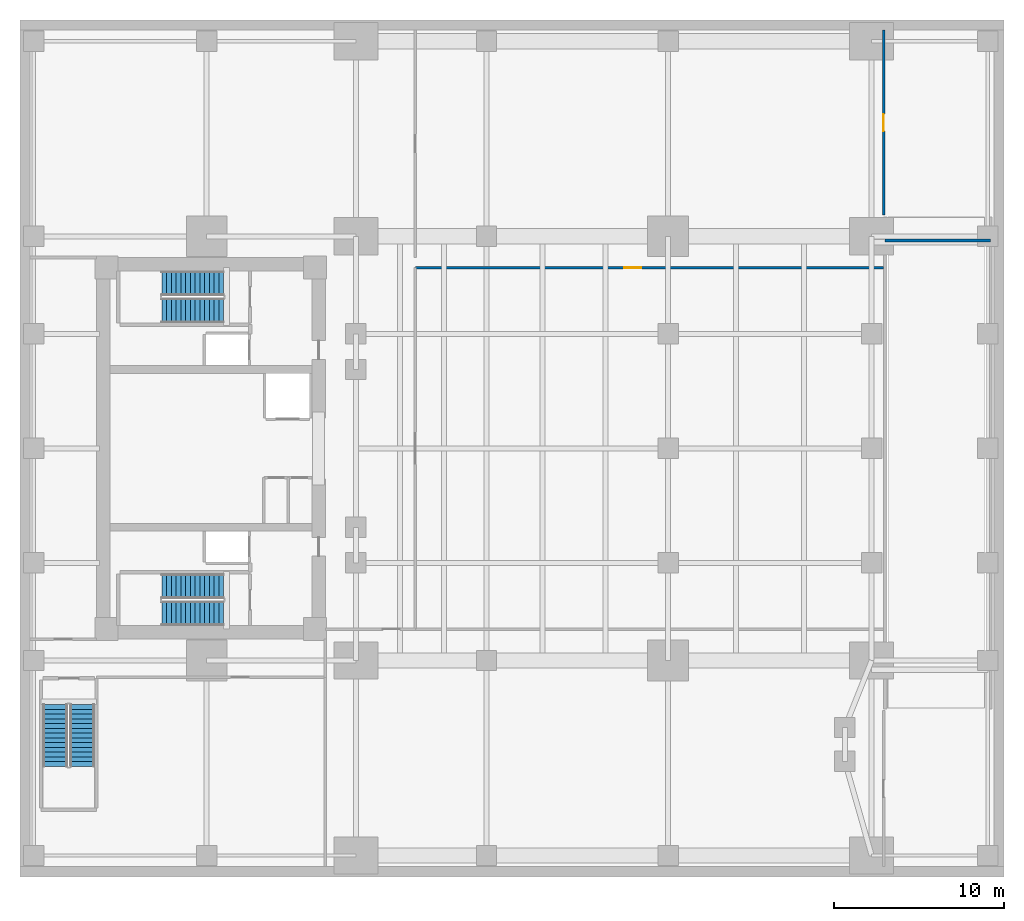
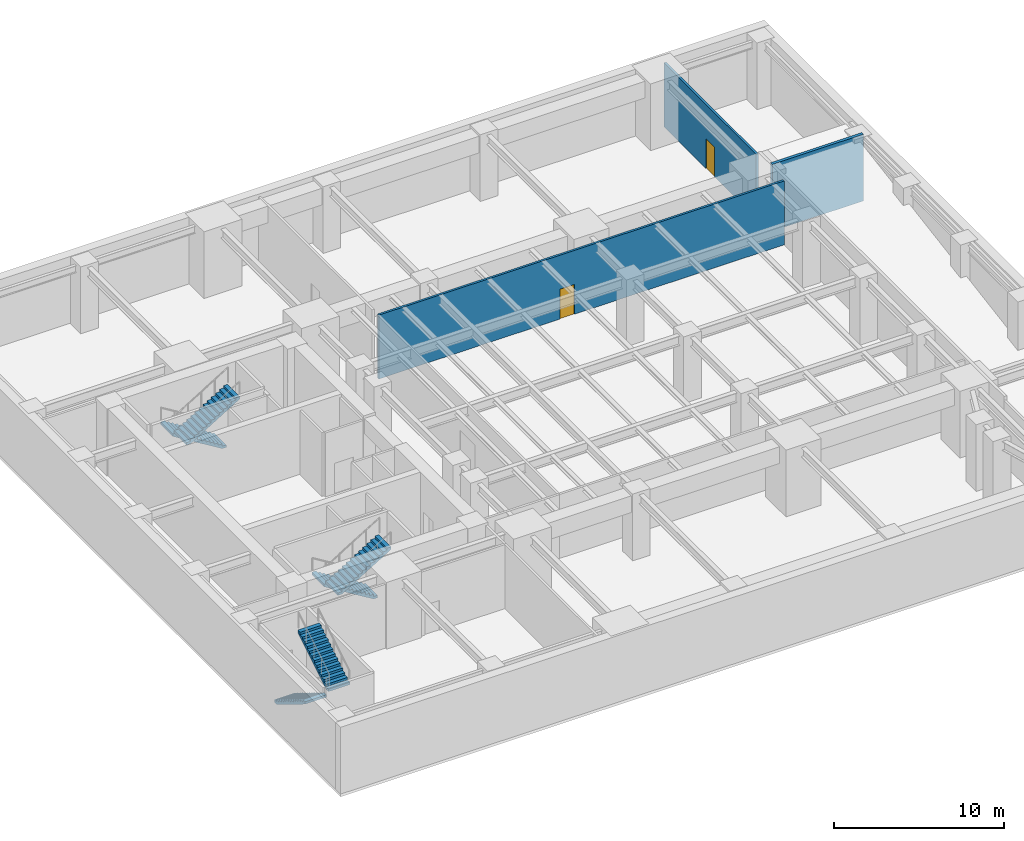
# One storey, part 4 of 5: 6 stair flights, 3 walls, 2 doors, 2 openings, 3 elements without a shape of their own.
"""IFC4 building model written with IfcOpenShell, lengths in metres."""

import ifcopenshell
import ifcopenshell.guid

model = None  # the IFC model being written
_history = None  # IfcOwnerHistory: only IFC2X3 demands one
_inside = {}  # id of a spatial element -> (the spatial element, [elements in it])
_under = {}  # id of a project, library or spatial element -> (it, [spatial elements below it])
_declared = {}  # id of a project -> (the project, [libraries it declares])
_typed = {}  # id of a type object -> (the type object, [elements of that type])
_made_of = {}  # id of a material, layer set ... -> (it, [elements and type objects made of it])


def new_model(schema):
    """Start an empty IFC model of exactly this schema.

    Asked for "IFC4X3", IfcOpenShell would pick the latest addendum, in which some entities
    have other attributes; the version numbers below select the first issue.
    IFC2X3 requires an IfcOwnerHistory on every rooted entity: one is made here for all.
    """
    global model, _history
    if schema == "IFC4X3":
        model = ifcopenshell.file(schema_version=(4, 3, 0, 0))
    else:
        model = ifcopenshell.file(schema=schema)
    _inside.clear()
    _under.clear()
    _declared.clear()
    _typed.clear()
    _made_of.clear()
    _history = None
    if model.schema == "IFC2X3":
        org = make("IfcOrganization", Name="unknown")
        user = make(
            "IfcPersonAndOrganization",
            ThePerson=make("IfcPerson", FamilyName="unknown"),
            TheOrganization=org,
        )
        app = make(
            "IfcApplication",
            ApplicationDeveloper=org,
            Version="unknown",
            ApplicationFullName="unknown",
            ApplicationIdentifier="unknown",
        )
        _history = make(
            "IfcOwnerHistory",
            OwningUser=user,
            OwningApplication=app,
            ChangeAction="ADDED",
            CreationDate=0,
        )
    return model


def make(cls, **values):
    """One entity of the class cls with the attributes given. An attribute that is None is left unset."""
    return model.create_entity(
        cls, **{name: value for name, value in values.items() if value is not None}
    )


def rooted(cls, **values):
    """An entity with a GlobalId (a new one), such as an element, a storey or a relation."""
    return make(cls, GlobalId=ifcopenshell.guid.new(), OwnerHistory=_history, **values)


def si_unit(unit_type, name, prefix=None):
    """IfcSIUnit, for example si_unit("LENGTHUNIT", "METRE", prefix="MILLI")."""
    return make("IfcSIUnit", UnitType=unit_type, Prefix=prefix, Name=name)


def assignment(units):
    """IfcUnitAssignment: the units of a project."""
    return None if units is None else make("IfcUnitAssignment", Units=units)


def point(xyz):
    """IfcCartesianPoint."""
    return None if xyz is None else make("IfcCartesianPoint", Coordinates=xyz)


def direction(xyz):
    """IfcDirection."""
    return None if xyz is None else make("IfcDirection", DirectionRatios=xyz)


def frame(location, z_axis=None, x_axis=None):
    """IfcAxis2Placement3D, a coordinate frame: its origin and axes. An axis left out is left unset."""
    return make(
        "IfcAxis2Placement3D",
        Location=point(location),
        Axis=direction(z_axis),
        RefDirection=direction(x_axis),
    )


def frame_2d(location, x_axis=None):
    """IfcAxis2Placement2D, a coordinate frame in the plane: its origin and x axis."""
    return make(
        "IfcAxis2Placement2D", Location=point(location), RefDirection=direction(x_axis)
    )


def origin():
    """The frame at (0, 0, 0) with its axes left unset."""
    return frame((0.0, 0.0, 0.0))


def place(relative_to, where):
    """IfcLocalPlacement: puts the frame where relative to a parent placement (None: the world)."""
    return make(
        "IfcLocalPlacement", PlacementRelTo=relative_to, RelativePlacement=where
    )


def context(
    kind, dimensions, precision=None, world=None, true_north=None, identifier=None
):
    """IfcGeometricRepresentationContext, for example the 3D "Model" context."""
    return make(
        "IfcGeometricRepresentationContext",
        ContextIdentifier=identifier,
        ContextType=kind,
        CoordinateSpaceDimension=dimensions,
        Precision=precision,
        WorldCoordinateSystem=world,
        TrueNorth=true_north,
    )


def subcontext(parent, identifier, kind, view, scale=None):
    """IfcGeometricRepresentationSubContext, for example "Body" below "Model"."""
    return make(
        "IfcGeometricRepresentationSubContext",
        ContextIdentifier=identifier,
        ContextType=kind,
        ParentContext=parent,
        TargetScale=scale,
        TargetView=view,
    )


def project(units=None, contexts=None):
    """IfcProject with its units and contexts."""
    return rooted(
        "IfcProject",
        Name="project",
        RepresentationContexts=contexts,
        UnitsInContext=assignment(units),
    )


def spatial(cls, under=None, at=None, **own):
    """A site, building, storey or space (cls), placed at a placement, below another one or the project."""
    s = rooted(cls, ObjectPlacement=at, **own)
    if under is not None:
        _under.setdefault(under.id(), (under, []))[1].append(s)
    return s


def polyline(points):
    """IfcPolyline through the points."""
    return make("IfcPolyline", Points=[point(p) for p in points])


def profile(cls, at=None, kind="AREA", **sizes):
    """A parametric profile (cls). Its sizes go by their IFC names, for example OverallWidth=200.0."""
    return make(cls, ProfileType=kind, Position=at, **sizes)


def rectangle(**sizes):
    """IfcRectangleProfileDef."""
    return profile("IfcRectangleProfileDef", **sizes)


def outline(outer, holes=None, kind="AREA"):
    """IfcArbitraryClosedProfileDef: a profile drawn as a closed curve; with holes, ...WithVoids."""
    if holes is None:
        return make("IfcArbitraryClosedProfileDef", ProfileType=kind, OuterCurve=outer)
    return make(
        "IfcArbitraryProfileDefWithVoids",
        ProfileType=kind,
        OuterCurve=outer,
        InnerCurves=holes,
    )


def extrude(swept, where, along, depth):
    """IfcExtrudedAreaSolid: the profile swept, set in the frame where, extruded along a direction by depth."""
    return make(
        "IfcExtrudedAreaSolid",
        SweptArea=swept,
        Position=where,
        ExtrudedDirection=direction(along),
        Depth=depth,
    )


def shape(context_of_items, identifier, shape_type, items):
    """IfcShapeRepresentation: the items that make up one representation, for example the "Body"."""
    return make(
        "IfcShapeRepresentation",
        ContextOfItems=context_of_items,
        RepresentationIdentifier=identifier,
        RepresentationType=shape_type,
        Items=items,
    )


def material(Name=None, Category=None):
    """IfcMaterial."""
    return make("IfcMaterial", Name=Name, Category=Category)


def layer(
    of_material, thickness, ventilated=None, Name=None, Category=None, Priority=None
):
    """IfcMaterialLayer: one layer of a wall or slab, of a material (None: an air gap)."""
    return make(
        "IfcMaterialLayer",
        Material=of_material,
        LayerThickness=thickness,
        IsVentilated=ventilated,
        Name=Name,
        Category=Category,
        Priority=Priority,
    )


def layer_set(layers, Name=None):
    """IfcMaterialLayerSet."""
    return make("IfcMaterialLayerSet", MaterialLayers=layers, LayerSetName=Name)


def made_of(thing, what):
    """Note that an element or type object is made of a material, layer set ...; save() writes the relation."""
    if what is not None:
        _made_of.setdefault(what.id(), (what, []))[1].append(thing)
    return thing


def type_object(cls, material=None, **own):
    """A type object (cls), such as IfcWallType, which elements share."""
    return made_of(rooted(cls, **own), material)


def element(
    cls,
    number,
    at=None,
    inside=None,
    cuts=None,
    type_object=None,
    material=None,
    context=None,
    identifier="Body",
    shape_type=None,
    held_by="IfcProductDefinitionShape",
    body=None,
    shapes=None,
    **own,
):
    """One element of the class cls, such as IfcWall. Its Tag is "e" and its number.

    at: its placement. inside: the storey or other place that contains it. cuts: it is an
    opening in that element (IfcRelVoidsElement). A single representation is given by context,
    identifier, shape_type and body (its items); several are given by shapes. held_by: the class
    of the entity that holds the representations. save() writes the other relations.
    """
    e = rooted(cls, Tag="e%d" % number, ObjectPlacement=at, **own)
    if body is not None:
        shapes = [shape(context, identifier, shape_type, body)]
    if shapes is not None:
        e.Representation = make(held_by, Representations=shapes)
    if inside is not None:
        _inside.setdefault(inside.id(), (inside, []))[1].append(e)
    if cuts is not None:
        rooted(
            "IfcRelVoidsElement", RelatingBuildingElement=cuts, RelatedOpeningElement=e
        )
    if type_object is not None:
        _typed.setdefault(type_object.id(), (type_object, []))[1].append(e)
    return made_of(e, material)


def fill(opening, filler):
    """IfcRelFillsElement: the door or window that sits in an opening."""
    return rooted(
        "IfcRelFillsElement",
        RelatingOpeningElement=opening,
        RelatedBuildingElement=filler,
    )


def aggregate(whole, parts):
    """IfcRelAggregates: a whole, such as a stair, and the parts it consists of."""
    return rooted("IfcRelAggregates", RelatingObject=whole, RelatedObjects=parts)


def save(model, path):
    """Write the relations noted so far, then the file.

    IfcRelAggregates (storeys below a building ...), IfcRelContainedInSpatialStructure (elements
    in a storey), IfcRelDefinesByType, IfcRelAssociatesMaterial and IfcRelDeclares: one each for
    every whole, place, type object, material and project.
    """
    for whole, parts in _under.values():
        aggregate(whole, parts)
    for where, things in _inside.values():
        rooted(
            "IfcRelContainedInSpatialStructure",
            RelatedElements=things,
            RelatingStructure=where,
        )
    for kind, things in _typed.values():
        rooted("IfcRelDefinesByType", RelatedObjects=things, RelatingType=kind)
    for what, things in _made_of.values():
        rooted("IfcRelAssociatesMaterial", RelatedObjects=things, RelatingMaterial=what)
    for by, libraries in _declared.values():
        rooted("IfcRelDeclares", RelatingContext=by, RelatedDefinitions=libraries)
    model.write(path)


model = new_model("IFC4")

# Units and contexts
model_context = context("Model", 3, precision=1e-05, world=origin(), true_north=direction((0.0, 1.0)))
body_context = subcontext(model_context, "Body", "Model", "MODEL_VIEW")
ifc_project = project(units=[si_unit("LENGTHUNIT", "METRE"), si_unit("AREAUNIT", "SQUARE_METRE"), si_unit("VOLUMEUNIT", "CUBIC_METRE"), si_unit("PLANEANGLEUNIT", "RADIAN"), si_unit("MASSUNIT", "GRAM", prefix="KILO")], contexts=[model_context])

# Site, building, storey
site_placement = place(None, origin())
site = spatial("IfcSite", under=ifc_project, at=site_placement, CompositionType="ELEMENT")
building_placement = place(site_placement, origin())
building = spatial("IfcBuilding", under=site, at=building_placement, Name="Kinhvarn Gate Tower", CompositionType="ELEMENT")
storey_placement = place(building_placement, frame((0.0, 0.0, -4.800048828125)))
storey = spatial("IfcBuildingStorey", under=building, at=storey_placement, Name="B01", CompositionType="ELEMENT", Elevation=-4.800048828125)

# Wall, opening, door
ifc_material_1 = material(Name="Gypsum acoustic partition board")
ifc_layer_1 = layer(ifc_material_1, 0.14990234375)
ifc_layer_set_1 = layer_set([ifc_layer_1], Name="Gypsum acoustic partition board")
wall_type_1 = type_object("IfcWallType", Name="WL-PRT-150F", PredefinedType="PARTITIONING", material=ifc_layer_set_1)
wall_1_placement = place(storey_placement, frame((23.300048828125, 35.89990234375, 0.0), z_axis=(0.0, 0.0, 1.0), x_axis=(1.0, 0.0, 0.0)))
wall_1 = element("IfcWall", 1, at=wall_1_placement, inside=storey, type_object=wall_type_1, Name="Interior Partition PW-150F (B01)", PredefinedType="PARTITIONING", context=body_context, shape_type="SweptSolid", body=[
    extrude(rectangle(XDim=27.599853515625, YDim=0.14990234375, at=frame_2d((13.7998046875, 0.0))), origin(), (0.0, 0.0, 1.0), 4.60009765625),
])
opening_1_placement = place(wall_1_placement, frame((12.324951171875, 0.0, 0.0)))
opening_1 = element("IfcOpeningElement", 2, at=opening_1_placement, cuts=wall_1, Name="Opening FD-03", PredefinedType="OPENING", context=body_context, shape_type="SweptSolid", body=[
    extrude(rectangle(XDim=1.0, YDim=2.14990234375, at=frame_2d((0.5, 1.074951171875))), frame((0.0, 0.0849609375, 0.0), z_axis=(0.0, -1.0, 0.0), x_axis=(1.0, 0.0, 0.0)), (0.0, 0.0, 1.0), 0.169921875),
])
ifc_material_2 = material(Name="Anodised aluminium AW-6063", Category="aluminium")
door_type = type_object("IfcDoorType", Name="DR-FD-1000", OperationType="NOTDEFINED", PredefinedType="DOOR", material=ifc_material_2)
door_1_placement = place(opening_1_placement, origin())
door_1 = element("IfcDoor", 3, at=door_1_placement, inside=storey, type_object=door_type, Name="Rated Plant & Corridor Fire Door 1000x2150 mm (B01)", OperationType="SINGLE_SWING_LEFT", OverallHeight=2.14990234375, OverallWidth=1.0, PredefinedType="DOOR", context=body_context, shape_type="SweptSolid", body=[
    extrude(rectangle(XDim=1.0, YDim=2.14990234375, at=frame_2d((0.5, 1.074951171875))), frame((0.0, 0.02490234375, 0.0), z_axis=(0.0, -1.0, 0.0), x_axis=(1.0, 0.0, 0.0)), (0.0, 0.0, 1.0), 0.050048828125),
])
fill(opening_1, door_1)

wall_2_placement = place(storey_placement, frame((50.89990234375, 39.0, 0.0), z_axis=(0.0, 0.0, 1.0), x_axis=(0.0, 1.0, 0.0)))
wall_2 = element("IfcWall", 4, at=wall_2_placement, inside=storey, type_object=wall_type_1, Name="Interior Partition PW-150F (B01)", PredefinedType="PARTITIONING", context=body_context, shape_type="SweptSolid", body=[
    extrude(rectangle(XDim=10.89990234375, YDim=0.14990234375, at=frame_2d((5.449951171875, 0.0))), origin(), (0.0, 0.0, 1.0), 4.60009765625),
])
opening_2_placement = place(wall_2_placement, frame((4.949951171875, 0.0, 0.0)))
opening_2 = element("IfcOpeningElement", 5, at=opening_2_placement, cuts=wall_2, Name="Opening FD-03", PredefinedType="OPENING", context=body_context, shape_type="SweptSolid", body=[
    extrude(rectangle(XDim=1.0, YDim=2.14990234375, at=frame_2d((0.5, 1.074951171875))), frame((0.0, 0.0849609375, 0.0), z_axis=(0.0, -1.0, 0.0), x_axis=(1.0, 0.0, 0.0)), (0.0, 0.0, 1.0), 0.169921875),
])
door_2_placement = place(opening_2_placement, origin())
door_2 = element("IfcDoor", 6, at=door_2_placement, inside=storey, type_object=door_type, Name="Rated Plant & Corridor Fire Door 1000x2150 mm (B01)", OperationType="SINGLE_SWING_RIGHT", OverallHeight=2.14990234375, OverallWidth=1.0, PredefinedType="DOOR", context=body_context, shape_type="SweptSolid", body=[
    extrude(rectangle(XDim=1.0, YDim=2.14990234375, at=frame_2d((0.5, 1.074951171875))), frame((0.0, 0.02490234375, 0.0), z_axis=(0.0, -1.0, 0.0), x_axis=(1.0, 0.0, 0.0)), (0.0, 0.0, 1.0), 0.050048828125),
])
fill(opening_2, door_2)

# Wall
ifc_material_3 = material(Name="Concrete C40/50", Category="concrete")
ifc_layer_2 = layer(ifc_material_3, 0.199951171875)
ifc_layer_set_2 = layer_set([ifc_layer_2], Name="Concrete C40/50")
wall_type_2 = type_object("IfcWallType", Name="WL-SHF-200", PredefinedType="SOLIDWALL", material=ifc_layer_set_2)
wall_3_placement = place(storey_placement, frame((51.0, 37.5, 0.0), z_axis=(0.0, 0.0, 1.0), x_axis=(1.0, 0.0, 0.0)))
element("IfcWall", 7, at=wall_3_placement, inside=storey, type_object=wall_type_2, Name="Vehicle Ramp End Safety Wall (B01)", PredefinedType="SOLIDWALL", context=body_context, shape_type="SweptSolid", body=[
    extrude(rectangle(XDim=6.199951171875, YDim=0.199951171875, at=frame_2d((3.10009765625, 0.0))), origin(), (0.0, 0.0, 1.0), 4.800048828125),
])

# Stair, stair flights
stair_type = type_object("IfcStairType", Name="STR-DLG-171", PredefinedType="HALF_TURN_STAIR", material=ifc_material_3)
stair_1_placement = place(storey_placement, origin())
stair_1 = element("IfcStair", 8, at=stair_1_placement, inside=storey, type_object=stair_type, Name="B01 Core Smokeproof Exit Stair ST1", PredefinedType="HALF_TURN_STAIR")
stair_flight_type = type_object("IfcStairFlightType", Name="STF-DLG-171", PredefinedType="STRAIGHT", material=ifc_material_3)
stair_flight_1_placement = place(storey_placement, frame((12.0, 17.125, 0.0), z_axis=(0.0, 0.0, 1.0), x_axis=(-1.0, 0.0, 0.0)))
stair_flight_1 = element("IfcStairFlight", 9, at=stair_flight_1_placement, type_object=stair_flight_type, Name="ST1 flight 1", NumberOfRisers=14, NumberOfTreads=13, PredefinedType="STRAIGHT", RiserHeight=0.171428571, TreadLength=0.28, context=body_context, shape_type="SweptSolid", body=[
    extrude(outline(polyline([(0.0, 0.0), (0.0, 0.17138671875), (0.280029296875, 0.17138671875), (0.280029296875, 0.3427734375), (0.56005859375, 0.3427734375), (0.56005859375, 0.514404296875), (0.840087890625, 0.514404296875), (0.840087890625, 0.685791015625), (1.1201171875, 0.685791015625), (1.1201171875, 0.857177734375), (1.39990234375, 0.857177734375), (1.39990234375, 1.028564453125), (1.679931640625, 1.028564453125), (1.679931640625, 1.199951171875), (1.9599609375, 1.199951171875), (1.9599609375, 1.371337890625), (2.239990234375, 1.371337890625), (2.239990234375, 1.54296875), (2.52001953125, 1.54296875), (2.52001953125, 1.71435546875), (2.800048828125, 1.71435546875), (2.800048828125, 1.8857421875), (3.080078125, 1.8857421875), (3.080078125, 2.05712890625), (3.360107421875, 2.05712890625), (3.360107421875, 2.228515625), (3.639892578125, 2.228515625), (3.639892578125, 2.39990234375), (3.639892578125, 2.052734375), (0.287109375, 0.0), (0.0, 0.0)])), frame((0.0, 0.72509765625, 0.0), z_axis=(0.0, -1.0, 0.0), x_axis=(1.0, 0.0, 0.0)), (0.0, 0.0, 1.0), 1.449951171875),
])
stair_flight_2_placement = place(storey_placement, frame((8.360107421875, 15.52490234375, 2.400146484375), z_axis=(0.0, 0.0, 1.0), x_axis=(1.0, 0.0, 0.0)))
stair_flight_2 = element("IfcStairFlight", 10, at=stair_flight_2_placement, type_object=stair_flight_type, Name="ST1 flight 2", NumberOfRisers=14, NumberOfTreads=13, PredefinedType="STRAIGHT", RiserHeight=0.171428571, TreadLength=0.28, context=body_context, shape_type="SweptSolid", body=[
    extrude(outline(polyline([(0.0, 0.0), (0.0, 0.17138671875), (0.280029296875, 0.17138671875), (0.280029296875, 0.3427734375), (0.56005859375, 0.3427734375), (0.56005859375, 0.514404296875), (0.840087890625, 0.514404296875), (0.840087890625, 0.685791015625), (1.1201171875, 0.685791015625), (1.1201171875, 0.857177734375), (1.39990234375, 0.857177734375), (1.39990234375, 1.028564453125), (1.679931640625, 1.028564453125), (1.679931640625, 1.199951171875), (1.9599609375, 1.199951171875), (1.9599609375, 1.371337890625), (2.239990234375, 1.371337890625), (2.239990234375, 1.54296875), (2.52001953125, 1.54296875), (2.52001953125, 1.71435546875), (2.800048828125, 1.71435546875), (2.800048828125, 1.8857421875), (3.080078125, 1.8857421875), (3.080078125, 2.05712890625), (3.360107421875, 2.05712890625), (3.360107421875, 2.228515625), (3.639892578125, 2.228515625), (3.639892578125, 2.39990234375), (3.639892578125, 2.052734375), (0.287109375, 0.0), (0.0, 0.0)])), frame((0.0, 0.72509765625, 0.0), z_axis=(0.0, -1.0, 0.0), x_axis=(1.0, 0.0, 0.0)), (0.0, 0.0, 1.0), 1.449951171875),
])
aggregate(stair_1, [stair_flight_1, stair_flight_2])

stair_2_placement = place(storey_placement, origin())
stair_2 = element("IfcStair", 11, at=stair_2_placement, inside=storey, type_object=stair_type, Name="B01 Core Smokeproof Exit Stair ST2", PredefinedType="HALF_TURN_STAIR")
stair_flight_3_placement = place(storey_placement, frame((12.0, 34.97509765625, 0.0), z_axis=(0.0, 0.0, 1.0), x_axis=(-1.0, 0.0, 0.0)))
stair_flight_3 = element("IfcStairFlight", 12, at=stair_flight_3_placement, type_object=stair_flight_type, Name="ST2 flight 1", NumberOfRisers=14, NumberOfTreads=13, PredefinedType="STRAIGHT", RiserHeight=0.171428571, TreadLength=0.28, context=body_context, shape_type="SweptSolid", body=[
    extrude(outline(polyline([(0.0, 0.0), (0.0, 0.17138671875), (0.280029296875, 0.17138671875), (0.280029296875, 0.3427734375), (0.56005859375, 0.3427734375), (0.56005859375, 0.514404296875), (0.840087890625, 0.514404296875), (0.840087890625, 0.685791015625), (1.1201171875, 0.685791015625), (1.1201171875, 0.857177734375), (1.39990234375, 0.857177734375), (1.39990234375, 1.028564453125), (1.679931640625, 1.028564453125), (1.679931640625, 1.199951171875), (1.9599609375, 1.199951171875), (1.9599609375, 1.371337890625), (2.239990234375, 1.371337890625), (2.239990234375, 1.54296875), (2.52001953125, 1.54296875), (2.52001953125, 1.71435546875), (2.800048828125, 1.71435546875), (2.800048828125, 1.8857421875), (3.080078125, 1.8857421875), (3.080078125, 2.05712890625), (3.360107421875, 2.05712890625), (3.360107421875, 2.228515625), (3.639892578125, 2.228515625), (3.639892578125, 2.39990234375), (3.639892578125, 2.052734375), (0.287109375, 0.0), (0.0, 0.0)])), frame((0.0, 0.72509765625, 0.0), z_axis=(0.0, -1.0, 0.0), x_axis=(1.0, 0.0, 0.0)), (0.0, 0.0, 1.0), 1.449951171875),
])
stair_flight_4_placement = place(storey_placement, frame((8.360107421875, 33.375, 2.400146484375), z_axis=(0.0, 0.0, 1.0), x_axis=(1.0, 0.0, 0.0)))
stair_flight_4 = element("IfcStairFlight", 13, at=stair_flight_4_placement, type_object=stair_flight_type, Name="ST2 flight 2", NumberOfRisers=14, NumberOfTreads=13, PredefinedType="STRAIGHT", RiserHeight=0.171428571, TreadLength=0.28, context=body_context, shape_type="SweptSolid", body=[
    extrude(outline(polyline([(0.0, 0.0), (0.0, 0.17138671875), (0.280029296875, 0.17138671875), (0.280029296875, 0.3427734375), (0.56005859375, 0.3427734375), (0.56005859375, 0.514404296875), (0.840087890625, 0.514404296875), (0.840087890625, 0.685791015625), (1.1201171875, 0.685791015625), (1.1201171875, 0.857177734375), (1.39990234375, 0.857177734375), (1.39990234375, 1.028564453125), (1.679931640625, 1.028564453125), (1.679931640625, 1.199951171875), (1.9599609375, 1.199951171875), (1.9599609375, 1.371337890625), (2.239990234375, 1.371337890625), (2.239990234375, 1.54296875), (2.52001953125, 1.54296875), (2.52001953125, 1.71435546875), (2.800048828125, 1.71435546875), (2.800048828125, 1.8857421875), (3.080078125, 1.8857421875), (3.080078125, 2.05712890625), (3.360107421875, 2.05712890625), (3.360107421875, 2.228515625), (3.639892578125, 2.228515625), (3.639892578125, 2.39990234375), (3.639892578125, 2.052734375), (0.287109375, 0.0), (0.0, 0.0)])), frame((0.0, 0.72509765625, 0.0), z_axis=(0.0, -1.0, 0.0), x_axis=(1.0, 0.0, 0.0)), (0.0, 0.0, 1.0), 1.449951171875),
])
aggregate(stair_2, [stair_flight_3, stair_flight_4])

stair_3_placement = place(storey_placement, origin())
stair_3 = element("IfcStair", 14, at=stair_3_placement, inside=storey, type_object=stair_type, Name="B01 Podium & Basement Protected Exit Stair ST3", PredefinedType="HALF_TURN_STAIR")
stair_flight_5_placement = place(storey_placement, frame((2.074951171875, 10.14990234375, 0.0), z_axis=(0.0, 0.0, 1.0), x_axis=(0.0, -1.0, 0.0)))
stair_flight_5 = element("IfcStairFlight", 15, at=stair_flight_5_placement, type_object=stair_flight_type, Name="ST3 flight 1", NumberOfRisers=14, NumberOfTreads=13, PredefinedType="STRAIGHT", RiserHeight=0.171428571, TreadLength=0.28, context=body_context, shape_type="SweptSolid", body=[
    extrude(outline(polyline([(0.0, 0.0), (0.0, 0.17138671875), (0.280029296875, 0.17138671875), (0.280029296875, 0.3427734375), (0.56005859375, 0.3427734375), (0.56005859375, 0.514404296875), (0.840087890625, 0.514404296875), (0.840087890625, 0.685791015625), (1.1201171875, 0.685791015625), (1.1201171875, 0.857177734375), (1.39990234375, 0.857177734375), (1.39990234375, 1.028564453125), (1.679931640625, 1.028564453125), (1.679931640625, 1.199951171875), (1.9599609375, 1.199951171875), (1.9599609375, 1.371337890625), (2.239990234375, 1.371337890625), (2.239990234375, 1.54296875), (2.52001953125, 1.54296875), (2.52001953125, 1.71435546875), (2.800048828125, 1.71435546875), (2.800048828125, 1.8857421875), (3.080078125, 1.8857421875), (3.080078125, 2.05712890625), (3.360107421875, 2.05712890625), (3.360107421875, 2.228515625), (3.639892578125, 2.228515625), (3.639892578125, 2.39990234375), (3.639892578125, 2.052734375), (0.287109375, 0.0), (0.0, 0.0)])), frame((0.0, 0.724853515625, 0.0), z_axis=(0.0, -1.0, 0.0), x_axis=(1.0, 0.0, 0.0)), (0.0, 0.0, 1.0), 1.44970703125),
])
stair_flight_6_placement = place(storey_placement, frame((3.675048828125, 6.510009765625, 2.400146484375), z_axis=(0.0, 0.0, 1.0), x_axis=(0.0, 1.0, 0.0)))
stair_flight_6 = element("IfcStairFlight", 16, at=stair_flight_6_placement, type_object=stair_flight_type, Name="ST3 flight 2", NumberOfRisers=14, NumberOfTreads=13, PredefinedType="STRAIGHT", RiserHeight=0.171428571, TreadLength=0.28, context=body_context, shape_type="SweptSolid", body=[
    extrude(outline(polyline([(0.0, 0.0), (0.0, 0.17138671875), (0.280029296875, 0.17138671875), (0.280029296875, 0.3427734375), (0.56005859375, 0.3427734375), (0.56005859375, 0.514404296875), (0.840087890625, 0.514404296875), (0.840087890625, 0.685791015625), (1.1201171875, 0.685791015625), (1.1201171875, 0.857177734375), (1.39990234375, 0.857177734375), (1.39990234375, 1.028564453125), (1.679931640625, 1.028564453125), (1.679931640625, 1.199951171875), (1.9599609375, 1.199951171875), (1.9599609375, 1.371337890625), (2.239990234375, 1.371337890625), (2.239990234375, 1.54296875), (2.52001953125, 1.54296875), (2.52001953125, 1.71435546875), (2.800048828125, 1.71435546875), (2.800048828125, 1.8857421875), (3.080078125, 1.8857421875), (3.080078125, 2.05712890625), (3.360107421875, 2.05712890625), (3.360107421875, 2.228515625), (3.639892578125, 2.228515625), (3.639892578125, 2.39990234375), (3.639892578125, 2.052734375), (0.287109375, 0.0), (0.0, 0.0)])), frame((0.0, 0.724853515625, 0.0), z_axis=(0.0, -1.0, 0.0), x_axis=(1.0, 0.0, 0.0)), (0.0, 0.0, 1.0), 1.44970703125),
])
aggregate(stair_3, [stair_flight_5, stair_flight_6])

save(model, "model.ifc")
